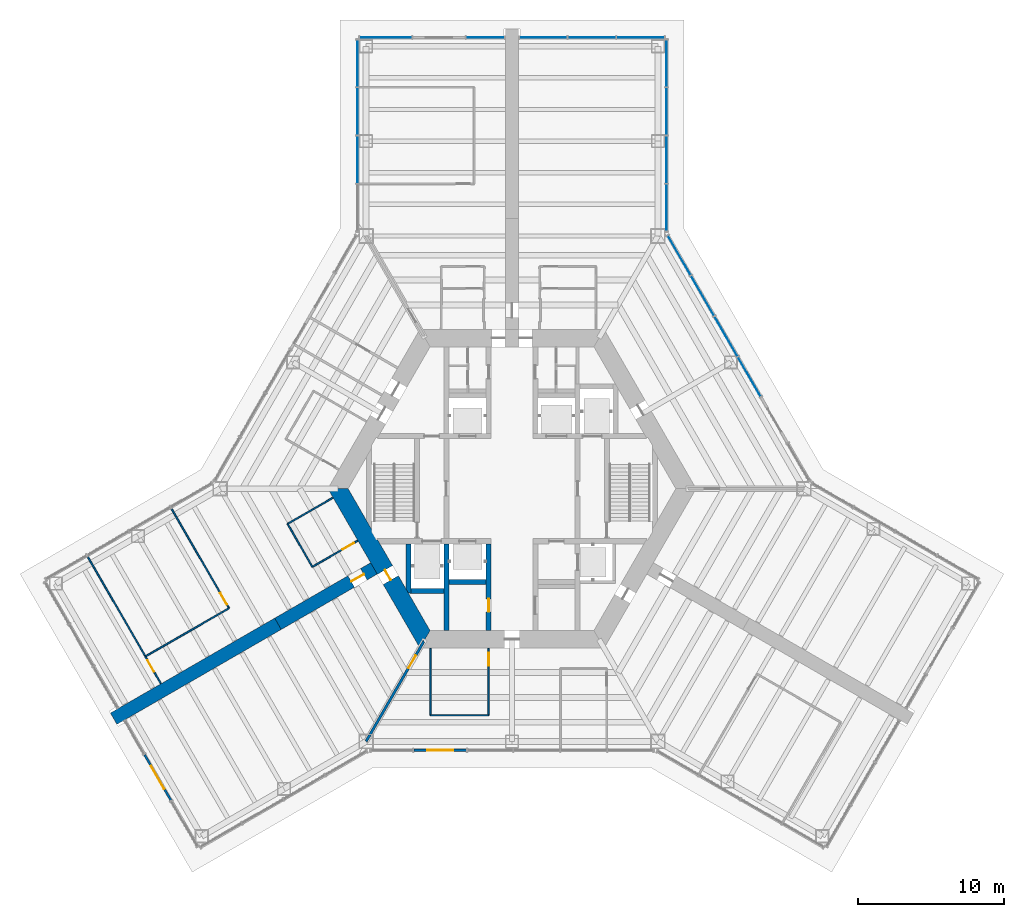
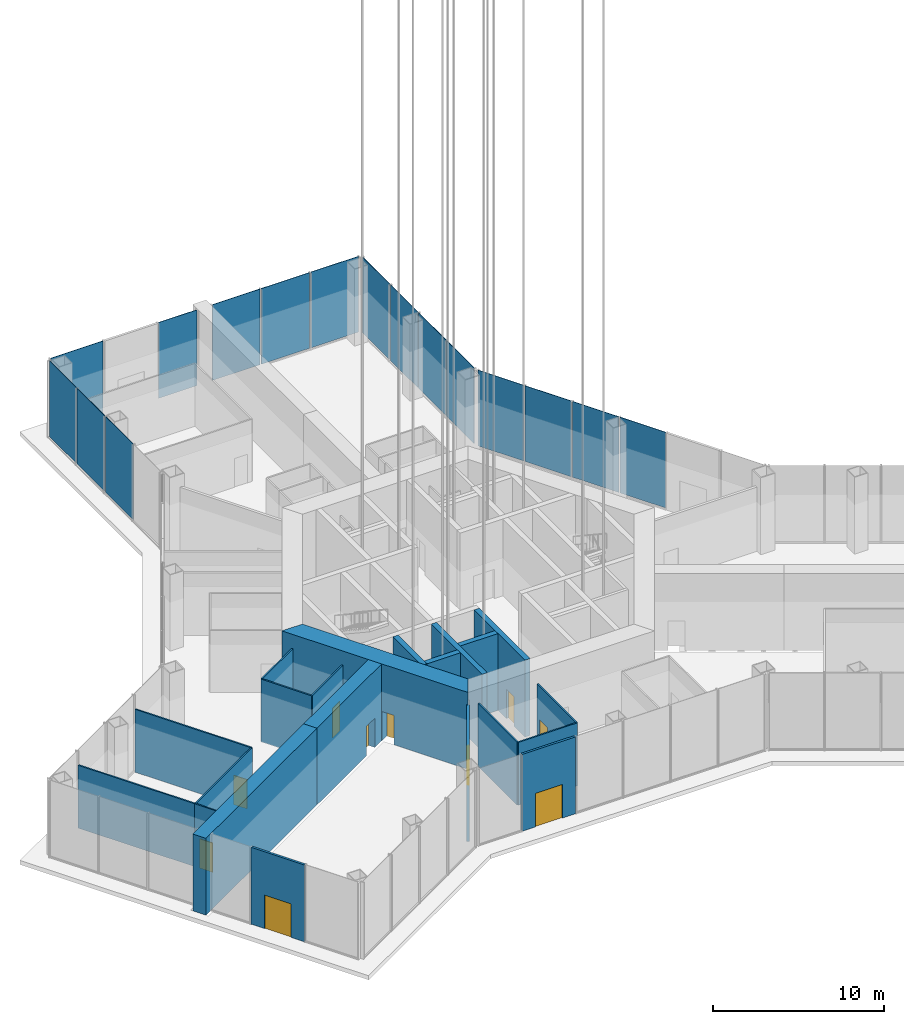
# One storey, part 9 of 18: 21 walls, 16 plates, 10 doors, 10 openings, 6 elements without a shape of their own.
"""IFC4 building model written with IfcOpenShell, lengths in metres."""

from ifc_helpers import new_model, si_unit, direction, frame, frame_2d, origin, origin_2d, place, context, subcontext, project, spatial, polyline, rectangle, outline, extrude, material, layer, layer_set, type_object, element, fill, aggregate, save


model = new_model("IFC4")

# Units and contexts
model_context = context("Model", 3, precision=1e-05, world=origin(), true_north=direction((0.0, 1.0)))
body_context = subcontext(model_context, "Body", "Model", "MODEL_VIEW")
ifc_project = project(units=[si_unit("LENGTHUNIT", "METRE"), si_unit("AREAUNIT", "SQUARE_METRE"), si_unit("VOLUMEUNIT", "CUBIC_METRE"), si_unit("PLANEANGLEUNIT", "RADIAN"), si_unit("MASSUNIT", "GRAM", prefix="KILO")], contexts=[model_context])

# Site, building, storey
site_placement = place(None, origin())
site = spatial("IfcSite", under=ifc_project, at=site_placement, CompositionType="ELEMENT")
building_placement = place(site_placement, origin())
building = spatial("IfcBuilding", under=site, at=building_placement, Name="Kasaneha Research Tower", CompositionType="ELEMENT")
storey_placement = place(building_placement, origin())
storey = spatial("IfcBuildingStorey", under=building, at=storey_placement, Name="L01", CompositionType="ELEMENT", Elevation=0.0)

# Curtain wall, plates
ifc_material_1 = material(Name="Glass and aluminium", Category="aluminium")
curtain_wall_type = type_object("IfcCurtainWallType", Name="Entrance hall curtain wall", PredefinedType="USERDEFINED", material=ifc_material_1)
curtain_wall_1_placement = place(storey_placement, origin())
curtain_wall_1 = element("IfcCurtainWall", 1, at=curtain_wall_1_placement, inside=storey, type_object=curtain_wall_type, Name="CW-H L01 run 07c", ObjectType="UNITISED CURTAIN WALL", PredefinedType="USERDEFINED")
ifc_material_2 = material(Name="Laminated double glazing", Category="glass")
ifc_layer_1 = layer(ifc_material_2, 0.031982421875)
ifc_layer_set_1 = layer_set([ifc_layer_1], Name="CW-H glazed panel")
plate_type = type_object("IfcPlateType", Name="CW-H glazed panel", PredefinedType="CURTAIN_PANEL", material=ifc_layer_set_1)
plate_1_placement = place(storey_placement, frame((16.265625, 7.66796875, 0.080078125), z_axis=(0.0, 0.0, 1.0), x_axis=(-0.49999996188, 0.866025425793, 0.0)))
plate_1 = element("IfcPlate", 2, at=plate_1_placement, type_object=plate_type, Name="CW-H panel 1", PredefinedType="CURTAIN_PANEL", context=body_context, shape_type="SweptSolid", body=[
    extrude(rectangle(XDim=3.0947265625, YDim=0.031982421875, at=origin_2d()), origin(), (0.0, 0.0, 1.0), 5.419921875),
])
plate_2_placement = place(storey_placement, frame((14.66845703125, 10.4345703125, 0.080078125), z_axis=(0.0, 0.0, 1.0), x_axis=(-0.49999996188, 0.866025425793, 0.0)))
plate_2 = element("IfcPlate", 3, at=plate_2_placement, type_object=plate_type, Name="CW-H panel 2", PredefinedType="CURTAIN_PANEL", context=body_context, shape_type="SweptSolid", body=[
    extrude(rectangle(XDim=3.134765625, YDim=0.031982421875, at=origin_2d()), origin(), (0.0, 0.0, 1.0), 5.419921875),
])
plate_3_placement = place(storey_placement, frame((13.06103515625, 13.21875, 0.080078125), z_axis=(0.0, 0.0, 1.0), x_axis=(-0.49999996188, 0.866025425793, 0.0)))
plate_3 = element("IfcPlate", 4, at=plate_3_placement, type_object=plate_type, Name="CW-H panel 3", PredefinedType="CURTAIN_PANEL", context=body_context, shape_type="SweptSolid", body=[
    extrude(rectangle(XDim=3.134765625, YDim=0.031982421875, at=origin_2d()), origin(), (0.0, 0.0, 1.0), 5.419921875),
])
plate_4_placement = place(storey_placement, frame((11.463623046875, 15.9853515625, 0.080078125), z_axis=(0.0, 0.0, 1.0), x_axis=(-0.49999996188, 0.866025425793, 0.0)))
plate_4 = element("IfcPlate", 5, at=plate_4_placement, type_object=plate_type, Name="CW-H panel 4", PredefinedType="CURTAIN_PANEL", context=body_context, shape_type="SweptSolid", body=[
    extrude(rectangle(XDim=3.0947265625, YDim=0.031982421875, at=origin_2d()), origin(), (0.0, 0.0, 1.0), 5.419921875),
])
aggregate(curtain_wall_1, [plate_1, plate_2, plate_3, plate_4])

curtain_wall_2_placement = place(storey_placement, origin())
curtain_wall_2 = element("IfcCurtainWall", 6, at=curtain_wall_2_placement, inside=storey, type_object=curtain_wall_type, Name="CW-H L01 run 08a", ObjectType="UNITISED CURTAIN WALL", PredefinedType="USERDEFINED")
plate_5_placement = place(storey_placement, frame((10.60009765625, 19.256103515625, 0.080078125), z_axis=(0.0, 0.0, 1.0), x_axis=(0.0, 1.0, 0.0)))
plate_5 = element("IfcPlate", 7, at=plate_5_placement, type_object=plate_type, Name="CW-H panel 1", PredefinedType="CURTAIN_PANEL", context=body_context, shape_type="SweptSolid", body=[
    extrude(rectangle(XDim=3.189697265625, YDim=0.031982421875, at=origin_2d()), origin(), (0.0, 0.0, 1.0), 5.419921875),
])
plate_6_placement = place(storey_placement, frame((10.60009765625, 22.5458984375, 0.080078125), z_axis=(0.0, 0.0, 1.0), x_axis=(0.0, 1.0, 0.0)))
plate_6 = element("IfcPlate", 8, at=plate_6_placement, type_object=plate_type, Name="CW-H panel 2", PredefinedType="CURTAIN_PANEL", context=body_context, shape_type="SweptSolid", body=[
    extrude(rectangle(XDim=3.229736328125, YDim=0.031982421875, at=origin_2d()), origin(), (0.0, 0.0, 1.0), 5.419921875),
])
plate_7_placement = place(storey_placement, frame((10.60009765625, 25.855712890625, 0.080078125), z_axis=(0.0, 0.0, 1.0), x_axis=(0.0, 1.0, 0.0)))
plate_7 = element("IfcPlate", 9, at=plate_7_placement, type_object=plate_type, Name="CW-H panel 3", PredefinedType="CURTAIN_PANEL", context=body_context, shape_type="SweptSolid", body=[
    extrude(rectangle(XDim=3.229736328125, YDim=0.031982421875, at=origin_2d()), origin(), (0.0, 0.0, 1.0), 5.419921875),
])
plate_8_placement = place(storey_placement, frame((10.60009765625, 29.1455078125, 0.080078125), z_axis=(0.0, 0.0, 1.0), x_axis=(0.0, 1.0, 0.0)))
plate_8 = element("IfcPlate", 10, at=plate_8_placement, type_object=plate_type, Name="CW-H panel 4", PredefinedType="CURTAIN_PANEL", context=body_context, shape_type="SweptSolid", body=[
    extrude(rectangle(XDim=3.189697265625, YDim=0.031982421875, at=origin_2d()), origin(), (0.0, 0.0, 1.0), 5.419921875),
])
aggregate(curtain_wall_2, [plate_5, plate_6, plate_7, plate_8])

curtain_wall_3_placement = place(storey_placement, origin())
curtain_wall_3 = element("IfcCurtainWall", 11, at=curtain_wall_3_placement, inside=storey, type_object=curtain_wall_type, Name="CW-H L01 run 09a", ObjectType="UNITISED CURTAIN WALL", PredefinedType="USERDEFINED")
plate_9_placement = place(storey_placement, frame((8.804931640625, 30.92041015625, 0.080078125), z_axis=(0.0, 0.0, 1.0), x_axis=(-1.0, 0.0, 0.0)))
plate_9 = element("IfcPlate", 12, at=plate_9_placement, type_object=plate_type, Name="CW-H panel 1", PredefinedType="CURTAIN_PANEL", context=body_context, shape_type="SweptSolid", body=[
    extrude(rectangle(XDim=3.22998046875, YDim=0.031982421875, at=origin_2d()), origin(), (0.0, 0.0, 1.0), 5.419921875),
])
plate_10_placement = place(storey_placement, frame((5.47509765625, 30.92041015625, 0.080078125), z_axis=(0.0, 0.0, 1.0), x_axis=(-1.0, 0.0, 0.0)))
plate_10 = element("IfcPlate", 13, at=plate_10_placement, type_object=plate_type, Name="CW-H panel 2", PredefinedType="CURTAIN_PANEL", context=body_context, shape_type="SweptSolid", body=[
    extrude(rectangle(XDim=3.27001953125, YDim=0.031982421875, at=origin_2d()), origin(), (0.0, 0.0, 1.0), 5.419921875),
])
plate_11_placement = place(storey_placement, frame((2.14501953125, 30.92041015625, 0.080078125), z_axis=(0.0, 0.0, 1.0), x_axis=(-1.0, 0.0, 0.0)))
plate_11 = element("IfcPlate", 14, at=plate_11_placement, type_object=plate_type, Name="CW-H panel 3", PredefinedType="CURTAIN_PANEL", context=body_context, shape_type="SweptSolid", body=[
    extrude(rectangle(XDim=3.22998046875, YDim=0.031982421875, at=origin_2d()), origin(), (0.0, 0.0, 1.0), 5.419921875),
])
aggregate(curtain_wall_3, [plate_9, plate_10, plate_11])

# Curtain wall, plate
curtain_wall_4_placement = place(storey_placement, origin())
curtain_wall_4 = element("IfcCurtainWall", 15, at=curtain_wall_4_placement, inside=storey, type_object=curtain_wall_type, Name="CW-H L01 run 10a", ObjectType="UNITISED CURTAIN WALL", PredefinedType="USERDEFINED")
plate_12_placement = place(storey_placement, frame((-1.824951171875, 30.92041015625, 0.080078125), z_axis=(0.0, 0.0, 1.0), x_axis=(-1.0, 0.0, 0.0)))
plate_12 = element("IfcPlate", 16, at=plate_12_placement, type_object=plate_type, Name="CW-H panel 1", PredefinedType="CURTAIN_PANEL", context=body_context, shape_type="SweptSolid", body=[
    extrude(rectangle(XDim=2.590087890625, YDim=0.031982421875, at=origin_2d()), origin(), (0.0, 0.0, 1.0), 5.419921875),
])
aggregate(curtain_wall_4, [plate_12])

curtain_wall_5_placement = place(storey_placement, origin())
curtain_wall_5 = element("IfcCurtainWall", 17, at=curtain_wall_5_placement, inside=storey, type_object=curtain_wall_type, Name="CW-H L01 run 10c", ObjectType="UNITISED CURTAIN WALL", PredefinedType="USERDEFINED")
plate_13_placement = place(storey_placement, frame((-8.64990234375, 30.92041015625, 0.080078125), z_axis=(0.0, 0.0, 1.0), x_axis=(-1.0, 0.0, 0.0)))
plate_13 = element("IfcPlate", 18, at=plate_13_placement, type_object=plate_type, Name="CW-H panel 1", PredefinedType="CURTAIN_PANEL", context=body_context, shape_type="SweptSolid", body=[
    extrude(rectangle(XDim=3.5400390625, YDim=0.031982421875, at=origin_2d()), origin(), (0.0, 0.0, 1.0), 5.419921875),
])
aggregate(curtain_wall_5, [plate_13])

# Curtain wall, plates
curtain_wall_6_placement = place(storey_placement, origin())
curtain_wall_6 = element("IfcCurtainWall", 19, at=curtain_wall_6_placement, inside=storey, type_object=curtain_wall_type, Name="CW-H L01 run 11a", ObjectType="UNITISED CURTAIN WALL", PredefinedType="USERDEFINED")
plate_14_placement = place(storey_placement, frame((-10.60009765625, 29.1455078125, 0.080078125), z_axis=(0.0, 0.0, 1.0), x_axis=(0.0, -1.0, 0.0)))
plate_14 = element("IfcPlate", 20, at=plate_14_placement, type_object=plate_type, Name="CW-H panel 1", PredefinedType="CURTAIN_PANEL", context=body_context, shape_type="SweptSolid", body=[
    extrude(rectangle(XDim=3.189697265625, YDim=0.031982421875, at=origin_2d()), origin(), (0.0, 0.0, 1.0), 5.419921875),
])
plate_15_placement = place(storey_placement, frame((-10.60009765625, 25.855712890625, 0.080078125), z_axis=(0.0, 0.0, 1.0), x_axis=(0.0, -1.0, 0.0)))
plate_15 = element("IfcPlate", 21, at=plate_15_placement, type_object=plate_type, Name="CW-H panel 2", PredefinedType="CURTAIN_PANEL", context=body_context, shape_type="SweptSolid", body=[
    extrude(rectangle(XDim=3.229736328125, YDim=0.031982421875, at=origin_2d()), origin(), (0.0, 0.0, 1.0), 5.419921875),
])
plate_16_placement = place(storey_placement, frame((-10.60009765625, 22.5458984375, 0.080078125), z_axis=(0.0, 0.0, 1.0), x_axis=(0.0, -1.0, 0.0)))
plate_16 = element("IfcPlate", 22, at=plate_16_placement, type_object=plate_type, Name="CW-H panel 3", PredefinedType="CURTAIN_PANEL", context=body_context, shape_type="SweptSolid", body=[
    extrude(rectangle(XDim=3.229736328125, YDim=0.031982421875, at=origin_2d()), origin(), (0.0, 0.0, 1.0), 5.419921875),
])
aggregate(curtain_wall_6, [plate_14, plate_15, plate_16])

# Wall, opening, door
ifc_material_3 = material(Name="Concrete Fc100", Category="concrete")
ifc_layer_2 = layer(ifc_material_3, 0.35009765625)
ifc_layer_set_2 = layer_set([ifc_layer_2], Name="Core internal wall 350 Fc100")
wall_type_1 = type_object("IfcWallType", Name="Core internal wall 350 Fc100", PredefinedType="SHEAR", material=ifc_layer_set_2)
wall_1_placement = place(storey_placement, frame((-1.60009765625, -3.77490234375, 0.0), z_axis=(0.0, 0.0, 1.0), x_axis=(0.0, -1.0, 0.0)))
wall_1 = element("IfcWall", 23, at=wall_1_placement, inside=storey, type_object=wall_type_1, Name="Core wall CSW L01", PredefinedType="SHEAR", context=body_context, shape_type="SweptSolid", body=[
    extrude(rectangle(XDim=5.9501953125, YDim=0.35009765625, at=frame_2d((2.97509765625, 0.0))), origin(), (0.0, 0.0, 1.0), 5.5),
])
opening_1_placement = place(wall_1_placement, frame((3.77490234375, 0.0, 0.0)))
opening_1 = element("IfcOpeningElement", 24, at=opening_1_placement, cuts=wall_1, Name="Opening L01-D16", PredefinedType="OPENING", context=body_context, shape_type="SweptSolid", body=[
    extrude(rectangle(XDim=0.89990234375, YDim=2.10009765625, at=frame_2d((0.449951171875, 1.050048828125))), frame((0.0, 0.18505859375, 0.0), z_axis=(0.0, -1.0, 0.0), x_axis=(1.0, 0.0, 0.0)), (0.0, 0.0, 1.0), 0.3701171875),
])
ifc_material_4 = material(Name="Steel", Category="steel")
door_type_1 = type_object("IfcDoorType", Name="Riser access door FD60 900x2100", OperationType="NOTDEFINED", PredefinedType="DOOR", material=ifc_material_4)
door_1_placement = place(opening_1_placement, origin())
door_1 = element("IfcDoor", 25, at=door_1_placement, inside=storey, type_object=door_type_1, Name="Electrical riser door L01-D16", OperationType="SINGLE_SWING_LEFT", OverallHeight=2.10009765625, OverallWidth=0.89990234375, PredefinedType="DOOR", context=body_context, shape_type="SweptSolid", body=[
    extrude(rectangle(XDim=0.89990234375, YDim=2.10009765625, at=frame_2d((0.449951171875, 1.050048828125))), frame((0.0, 0.02490234375, 0.0), z_axis=(0.0, -1.0, 0.0), x_axis=(1.0, 0.0, 0.0)), (0.0, 0.0, 1.0), 0.050048828125),
])
fill(opening_1, door_1)

# Walls
wall_2_placement = place(storey_placement, frame((-4.5, -3.77490234375, 0.0), z_axis=(0.0, 0.0, 1.0), x_axis=(0.0, -1.0, 0.0)))
element("IfcWall", 26, at=wall_2_placement, inside=storey, type_object=wall_type_1, Name="Core wall SSW L01", PredefinedType="SHEAR", context=body_context, shape_type="SweptSolid", body=[
    extrude(rectangle(XDim=5.9501953125, YDim=0.35009765625, at=frame_2d((2.97509765625, 0.0))), origin(), (0.0, 0.0, 1.0), 5.5),
])
wall_3_placement = place(storey_placement, frame((-4.324951171875, -6.39990234375, 0.0), z_axis=(0.0, 0.0, 1.0), x_axis=(1.0, 0.0, 0.0)))
element("IfcWall", 27, at=wall_3_placement, inside=storey, type_object=wall_type_1, Name="Core wall S1S L01", PredefinedType="SHEAR", context=body_context, shape_type="SweptSolid", body=[
    extrude(rectangle(XDim=2.550048828125, YDim=0.35009765625, at=frame_2d((1.27490234375, 0.0))), origin(), (0.0, 0.0, 1.0), 5.5),
])
wall_4_placement = place(storey_placement, frame((-6.925048828125, -7.0, 0.0), z_axis=(0.0, 0.0, 1.0), x_axis=(1.0, 0.0, 0.0)))
element("IfcWall", 28, at=wall_4_placement, inside=storey, type_object=wall_type_1, Name="Core wall F2S L01", PredefinedType="SHEAR", context=body_context, shape_type="SweptSolid", body=[
    extrude(rectangle(XDim=2.25, YDim=0.35009765625, at=frame_2d((1.125, 0.0))), origin(), (0.0, 0.0, 1.0), 5.5),
])
wall_5_placement = place(storey_placement, frame((-7.10009765625, -3.77490234375, 0.0), z_axis=(0.0, 0.0, 1.0), x_axis=(0.0, -1.0, 0.0)))
element("IfcWall", 29, at=wall_5_placement, inside=storey, type_object=wall_type_1, Name="Core wall F2W L01", PredefinedType="SHEAR", context=body_context, shape_type="SweptSolid", body=[
    extrude(outline(polyline([(0.0, -0.175048828125), (3.07421875, -0.175048828125), (3.37744140625, 0.0), (3.39990234375, 0.175048828125), (0.0, 0.175048828125), (0.0, -0.175048828125)])), origin(), (0.0, 0.0, 1.0), 5.5),
])

# Wall, opening, door
ifc_material_5 = material(Name="Concrete Fc100", Category="concrete")
ifc_layer_3 = layer(ifc_material_5, 1.199951171875)
ifc_layer_set_3 = layer_set([ifc_layer_3], Name="Core wall 1200 Fc100")
wall_type_2 = type_object("IfcWallType", Name="Core wall 1200 Fc100", PredefinedType="SHEAR", material=ifc_layer_set_3)
wall_6_placement = place(storey_placement, frame((-11.92236328125, 0.0, 0.0), z_axis=(0.0, 0.0, 1.0), x_axis=(0.500004296715, -0.866022923061, 0.0)))
wall_6 = element("IfcWall", 30, at=wall_6_placement, inside=storey, type_object=wall_type_2, Name="Core wall 210 L01", PredefinedType="SHEAR", context=body_context, shape_type="SweptSolid", body=[
    extrude(outline(polyline([(-0.346435546875, -0.60009765625), (6.43115234375, -0.60009765625), (7.231201171875, -0.60009765625), (12.268798828125, -0.60009765625), (11.575927734375, 0.60009765625), (7.231201171875, 0.60009765625), (6.43115234375, 0.60009765625), (0.346435546875, 0.60009765625), (-0.346435546875, -0.60009765625)])), origin(), (0.0, 0.0, 1.0), 5.5),
])
opening_2_placement = place(wall_6_placement, frame((6.43115234375, 0.0, 0.0)))
opening_2 = element("IfcOpeningElement", 31, at=opening_2_placement, cuts=wall_6, Name="Opening L01-D06", PredefinedType="OPENING", context=body_context, shape_type="SweptSolid", body=[
    extrude(rectangle(XDim=0.800048828125, YDim=2.10009765625, at=frame_2d((0.39990234375, 1.050048828125))), frame((0.0, 0.60986328125, 0.0), z_axis=(0.0, -1.0, 0.0), x_axis=(1.0, 0.0, 0.0)), (0.0, 0.0, 1.0), 1.219970703125),
])
ifc_material_6 = material(Name="Steel", Category="steel")
door_type_2 = type_object("IfcDoorType", Name="Riser access door FD60 800x2100", OperationType="NOTDEFINED", PredefinedType="DOOR", material=ifc_material_6)
door_2_placement = place(opening_2_placement, origin())
door_2 = element("IfcDoor", 32, at=door_2_placement, inside=storey, type_object=door_type_2, Name="Duct riser door L01-D06", OperationType="SINGLE_SWING_RIGHT", OverallHeight=2.10009765625, OverallWidth=0.800048828125, PredefinedType="DOOR", context=body_context, shape_type="SweptSolid", body=[
    extrude(rectangle(XDim=0.800048828125, YDim=2.10009765625, at=frame_2d((0.39990234375, 1.050048828125))), frame((0.0, 0.02490234375, 0.0), z_axis=(0.0, -1.0, 0.0), x_axis=(1.0, 0.0, 0.0)), (0.0, 0.0, 1.0), 0.050048828125),
])
fill(opening_2, door_2)

ifc_material_7 = material(Name="Glass and aluminium", Category="aluminium")
ifc_layer_4 = layer(ifc_material_7, 0.14990234375)
ifc_layer_set_4 = layer_set([ifc_layer_4], Name="Glazed entrance screen 150")
wall_type_3 = type_object("IfcWallType", Name="Glazed entrance screen 150", PredefinedType="STANDARD", material=ifc_layer_set_4)
wall_7_placement = place(storey_placement, frame((-6.7197265625, -17.92041015625, 0.0), z_axis=(0.0, 0.0, 1.0), x_axis=(1.0, 0.0, 0.0)))
wall_7 = element("IfcWall", 33, at=wall_7_placement, inside=storey, type_object=wall_type_3, Name="Glazed entrance screen L01", PredefinedType="STANDARD", context=body_context, shape_type="SweptSolid", body=[
    extrude(rectangle(XDim=3.60009765625, YDim=0.14990234375, at=frame_2d((1.800048828125, 0.0))), origin(), (0.0, 0.0, 1.0), 5.5),
])
opening_3_placement = place(wall_7_placement, frame((0.89990234375, 0.0, 0.0)))
opening_3 = element("IfcOpeningElement", 34, at=opening_3_placement, cuts=wall_7, Name="Opening L01-ED01", PredefinedType="OPENING", context=body_context, shape_type="SweptSolid", body=[
    extrude(rectangle(XDim=1.800048828125, YDim=2.39990234375, at=frame_2d((0.89990234375, 1.199951171875))), frame((0.0, 0.0849609375, 0.0), z_axis=(0.0, -1.0, 0.0), x_axis=(1.0, 0.0, 0.0)), (0.0, 0.0, 1.0), 0.169921875),
])
ifc_material_8 = material(Name="Glass and aluminium", Category="aluminium")
door_type_3 = type_object("IfcDoorType", Name="Entrance door 1800x2400", OperationType="DOUBLE_DOOR_SINGLE_SWING", PredefinedType="DOOR", material=ifc_material_8)
door_3_placement = place(opening_3_placement, origin())
door_3 = element("IfcDoor", 35, at=door_3_placement, inside=storey, type_object=door_type_3, Name="Entrance door L01-ED01", OperationType="DOUBLE_DOOR_SINGLE_SWING", OverallHeight=2.39990234375, OverallWidth=1.800048828125, PredefinedType="DOOR", context=body_context, shape_type="SweptSolid", body=[
    extrude(rectangle(XDim=1.800048828125, YDim=2.39990234375, at=frame_2d((0.89990234375, 1.199951171875))), frame((0.0, 0.02490234375, 0.0), z_axis=(0.0, -1.0, 0.0), x_axis=(1.0, 0.0, 0.0)), (0.0, 0.0, 1.0), 0.050048828125),
])
fill(opening_3, door_3)

wall_8_placement = place(storey_placement, frame((-25.177978515625, -18.2314453125, 0.0), z_axis=(0.0, 0.0, 1.0), x_axis=(0.500012057535, -0.866018442252, 0.0)))
wall_8 = element("IfcWall", 36, at=wall_8_placement, inside=storey, type_object=wall_type_3, Name="Glazed entrance screen L01", PredefinedType="STANDARD", context=body_context, shape_type="SweptSolid", body=[
    extrude(rectangle(XDim=3.60009765625, YDim=0.14990234375, at=frame_2d((1.800048828125, 0.0))), origin(), (0.0, 0.0, 1.0), 5.5),
])
opening_4_placement = place(wall_8_placement, frame((0.89990234375, 0.0, 0.0)))
opening_4 = element("IfcOpeningElement", 37, at=opening_4_placement, cuts=wall_8, Name="Opening L01-ED07", PredefinedType="OPENING", context=body_context, shape_type="SweptSolid", body=[
    extrude(rectangle(XDim=1.800048828125, YDim=2.39990234375, at=frame_2d((0.89990234375, 1.199951171875))), frame((0.0, 0.0849609375, 0.0), z_axis=(0.0, -1.0, 0.0), x_axis=(1.0, 0.0, 0.0)), (0.0, 0.0, 1.0), 0.169921875),
])
door_4_placement = place(opening_4_placement, origin())
door_4 = element("IfcDoor", 38, at=door_4_placement, inside=storey, type_object=door_type_3, Name="Entrance door L01-ED07", OperationType="DOUBLE_DOOR_SINGLE_SWING", OverallHeight=2.39990234375, OverallWidth=1.800048828125, PredefinedType="DOOR", context=body_context, shape_type="SweptSolid", body=[
    extrude(rectangle(XDim=1.800048828125, YDim=2.39990234375, at=frame_2d((0.89990234375, 1.199951171875))), frame((0.0, 0.02490234375, 0.0), z_axis=(0.0, -1.0, 0.0), x_axis=(1.0, 0.0, 0.0)), (0.0, 0.0, 1.0), 0.050048828125),
])
fill(opening_4, door_4)

# Wall
ifc_material_9 = material(Name="Gypsum board on steel studs, one layer each side", Category="steel")
ifc_layer_5 = layer(ifc_material_9, 0.10009765625)
ifc_layer_set_5 = layer_set([ifc_layer_5], Name="Office partition 100")
wall_type_4 = type_object("IfcWallType", Name="Office partition 100", PredefinedType="PARTITIONING", material=ifc_layer_set_5)
wall_9_placement = place(storey_placement, frame((-25.1201171875, -11.5009765625, 0.0), z_axis=(0.0, 0.0, 1.0), x_axis=(-0.50060862307, 0.865673729825, 0.0)))
element("IfcWall", 39, at=wall_9_placement, inside=storey, type_object=wall_type_4, Name="Office partition FBN01 L01", PredefinedType="PARTITIONING", context=body_context, shape_type="SweptSolid", body=[
    extrude(rectangle(XDim=7.900146484375, YDim=0.10009765625, at=frame_2d((3.9501953125, 0.0))), origin(), (0.0, 0.0, 1.0), 4.5),
])

# Wall, opening, door
wall_10_placement = place(storey_placement, frame((-23.332275390625, -1.36962890625, 0.0), z_axis=(0.0, 0.0, 1.0), x_axis=(0.500021035396, -0.866013258652, 0.0)))
wall_10 = element("IfcWall", 40, at=wall_10_placement, inside=storey, type_object=wall_type_4, Name="Office partition FBN02 L01", PredefinedType="PARTITIONING", context=body_context, shape_type="SweptSolid", body=[
    extrude(rectangle(XDim=7.880126953125, YDim=0.10009765625, at=frame_2d((3.93994140625, 0.0))), origin(), (0.0, 0.0, 1.0), 4.5),
])
opening_5_placement = place(wall_10_placement, frame((6.679931640625, 0.0, 0.0)))
opening_5 = element("IfcOpeningElement", 41, at=opening_5_placement, cuts=wall_10, Name="Opening L01-D32", PredefinedType="OPENING", context=body_context, shape_type="SweptSolid", body=[
    extrude(rectangle(XDim=0.89990234375, YDim=2.10009765625, at=frame_2d((0.449951171875, 1.050048828125))), frame((0.0, 0.06005859375, 0.0), z_axis=(0.0, -1.0, 0.0), x_axis=(1.0, 0.0, 0.0)), (0.0, 0.0, 1.0), 0.1201171875),
])
ifc_material_10 = material(Name="Timber veneer", Category="wood")
door_type_4 = type_object("IfcDoorType", Name="Office door 900x2100", OperationType="SINGLE_SWING_LEFT", PredefinedType="DOOR", material=ifc_material_10)
door_5_placement = place(opening_5_placement, origin())
door_5 = element("IfcDoor", 42, at=door_5_placement, inside=storey, type_object=door_type_4, Name="Convenience shop door L01-D32", OperationType="SINGLE_SWING_RIGHT", OverallHeight=2.10009765625, OverallWidth=0.89990234375, PredefinedType="DOOR", context=body_context, shape_type="SweptSolid", body=[
    extrude(rectangle(XDim=0.89990234375, YDim=2.10009765625, at=frame_2d((0.449951171875, 1.050048828125))), frame((0.0, 0.02490234375, 0.0), z_axis=(0.0, -1.0, 0.0), x_axis=(1.0, 0.0, 0.0)), (0.0, 0.0, 1.0), 0.050048828125),
])
fill(opening_5, door_5)

# Wall
wall_11_placement = place(storey_placement, frame((-19.39208984375, -8.19384765625, 0.0), z_axis=(0.0, 0.0, 1.0), x_axis=(-0.866327998015, -0.499475524781, 0.0)))
element("IfcWall", 43, at=wall_11_placement, inside=storey, type_object=wall_type_4, Name="Office partition FBN03 L01", PredefinedType="PARTITIONING", context=body_context, shape_type="SweptSolid", body=[
    extrude(rectangle(XDim=6.61962890625, YDim=0.10009765625, at=frame_2d((3.309814453125, 0.0))), origin(), (0.0, 0.0, 1.0), 4.5),
])

# Wall, opening, door
wall_12_placement = place(storey_placement, frame((-25.12646484375, -11.5, 0.0), z_axis=(0.0, 0.0, 1.0), x_axis=(0.496175899628, -0.868222020354, 0.0)))
wall_12 = element("IfcWall", 44, at=wall_12_placement, inside=storey, type_object=wall_type_4, Name="Office partition FBN06 L01", PredefinedType="PARTITIONING", context=body_context, shape_type="SweptSolid", body=[
    extrude(rectangle(XDim=2.134033203125, YDim=0.10009765625, at=frame_2d((1.06689453125, 0.0))), origin(), (0.0, 0.0, 1.0), 4.5),
])
opening_6_placement = place(wall_12_placement, frame((0.300048828125, 0.0, 0.0)))
opening_6 = element("IfcOpeningElement", 45, at=opening_6_placement, cuts=wall_12, Name="Opening L01-D34", PredefinedType="OPENING", context=body_context, shape_type="SweptSolid", body=[
    extrude(rectangle(XDim=0.89990234375, YDim=2.10009765625, at=frame_2d((0.449951171875, 1.050048828125))), frame((0.0, 0.06005859375, 0.0), z_axis=(0.0, -1.0, 0.0), x_axis=(1.0, 0.0, 0.0)), (0.0, 0.0, 1.0), 0.1201171875),
])
door_6_placement = place(opening_6_placement, origin())
door_6 = element("IfcDoor", 46, at=door_6_placement, inside=storey, type_object=door_type_4, Name="Visitor lounge door L01-D34", OperationType="SINGLE_SWING_LEFT", OverallHeight=2.10009765625, OverallWidth=0.89990234375, PredefinedType="DOOR", context=body_context, shape_type="SweptSolid", body=[
    extrude(rectangle(XDim=0.89990234375, YDim=2.10009765625, at=frame_2d((0.449951171875, 1.050048828125))), frame((0.0, 0.02490234375, 0.0), z_axis=(0.0, -1.0, 0.0), x_axis=(1.0, 0.0, 0.0)), (0.0, 0.0, 1.0), 0.050048828125),
])
fill(opening_6, door_6)

# Walls
wall_13_placement = place(storey_placement, frame((-15.37890625, -2.412841796875, 0.0), z_axis=(0.0, 0.0, 1.0), x_axis=(0.866018643436, 0.500011709085, 0.0)))
element("IfcWall", 47, at=wall_13_placement, inside=storey, type_object=wall_type_4, Name="Office partition FBN10 L01", PredefinedType="PARTITIONING", context=body_context, shape_type="SweptSolid", body=[
    extrude(rectangle(XDim=3.580078125, YDim=0.10009765625, at=frame_2d((1.7900390625, 0.0))), origin(), (0.0, 0.0, 1.0), 4.5),
])
wall_14_placement = place(storey_placement, frame((-13.678955078125, -5.357177734375, 0.0), z_axis=(0.0, 0.0, 1.0), x_axis=(-0.500008388397, 0.866020560687, 0.0)))
element("IfcWall", 48, at=wall_14_placement, inside=storey, type_object=wall_type_4, Name="Office partition FBN11 L01", PredefinedType="PARTITIONING", context=body_context, shape_type="SweptSolid", body=[
    extrude(rectangle(XDim=3.39990234375, YDim=0.10009765625, at=frame_2d((1.699951171875, 0.0))), origin(), (0.0, 0.0, 1.0), 4.5),
])

# Wall, opening, door
wall_15_placement = place(storey_placement, frame((-10.57861328125, -3.567138671875, 0.0), z_axis=(0.0, 0.0, 1.0), x_axis=(-0.866018643436, -0.500011709085, 0.0)))
wall_15 = element("IfcWall", 49, at=wall_15_placement, inside=storey, type_object=wall_type_4, Name="Office partition FBN12 L01", PredefinedType="PARTITIONING", context=body_context, shape_type="SweptSolid", body=[
    extrude(rectangle(XDim=3.580078125, YDim=0.10009765625, at=frame_2d((1.7900390625, 0.0))), origin(), (0.0, 0.0, 1.0), 4.5),
])
opening_7_placement = place(wall_15_placement, frame((0.300048828125, 0.0, 0.0)))
opening_7 = element("IfcOpeningElement", 50, at=opening_7_placement, cuts=wall_15, Name="Opening L01-D36", PredefinedType="OPENING", context=body_context, shape_type="SweptSolid", body=[
    extrude(rectangle(XDim=0.89990234375, YDim=2.10009765625, at=frame_2d((0.449951171875, 1.050048828125))), frame((0.0, 0.06005859375, 0.0), z_axis=(0.0, -1.0, 0.0), x_axis=(1.0, 0.0, 0.0)), (0.0, 0.0, 1.0), 0.1201171875),
])
door_7_placement = place(opening_7_placement, origin())
door_7 = element("IfcDoor", 51, at=door_7_placement, inside=storey, type_object=door_type_4, Name="Courier counter door L01-D36", OperationType="SINGLE_SWING_LEFT", OverallHeight=2.10009765625, OverallWidth=0.89990234375, PredefinedType="DOOR", context=body_context, shape_type="SweptSolid", body=[
    extrude(rectangle(XDim=0.89990234375, YDim=2.10009765625, at=frame_2d((0.449951171875, 1.050048828125))), frame((0.0, 0.02490234375, 0.0), z_axis=(0.0, -1.0, 0.0), x_axis=(1.0, 0.0, 0.0)), (0.0, 0.0, 1.0), 0.050048828125),
])
fill(opening_7, door_7)

# Walls
wall_16_placement = place(storey_placement, frame((-5.60009765625, -15.52490234375, 0.0), z_axis=(0.0, 0.0, 1.0), x_axis=(0.0, 1.0, 0.0)))
element("IfcWall", 52, at=wall_16_placement, inside=storey, type_object=wall_type_4, Name="Office partition FCS07 L01", PredefinedType="PARTITIONING", context=body_context, shape_type="SweptSolid", body=[
    extrude(rectangle(XDim=4.579833984375, YDim=0.10009765625, at=frame_2d((2.2900390625, 0.0))), origin(), (0.0, 0.0, 1.0), 4.5),
])
wall_17_placement = place(storey_placement, frame((-1.60009765625, -15.52490234375, 0.0), z_axis=(0.0, 0.0, 1.0), x_axis=(-1.0, 0.0, 0.0)))
element("IfcWall", 53, at=wall_17_placement, inside=storey, type_object=wall_type_4, Name="Office partition FCS08 L01", PredefinedType="PARTITIONING", context=body_context, shape_type="SweptSolid", body=[
    extrude(rectangle(XDim=4.0, YDim=0.10009765625, at=frame_2d((2.0, 0.0))), origin(), (0.0, 0.0, 1.0), 4.5),
])

# Wall, opening, door
wall_18_placement = place(storey_placement, frame((-1.60009765625, -10.945068359375, 0.0), z_axis=(0.0, 0.0, 1.0), x_axis=(0.0, -1.0, 0.0)))
wall_18 = element("IfcWall", 54, at=wall_18_placement, inside=storey, type_object=wall_type_4, Name="Office partition FCS09 L01", PredefinedType="PARTITIONING", context=body_context, shape_type="SweptSolid", body=[
    extrude(rectangle(XDim=4.579833984375, YDim=0.10009765625, at=frame_2d((2.2900390625, 0.0))), origin(), (0.0, 0.0, 1.0), 4.5),
])
opening_8_placement = place(wall_18_placement, frame((0.300048828125, 0.0, 0.0)))
opening_8 = element("IfcOpeningElement", 55, at=opening_8_placement, cuts=wall_18, Name="Opening L01-D39", PredefinedType="OPENING", context=body_context, shape_type="SweptSolid", body=[
    extrude(rectangle(XDim=0.89990234375, YDim=2.10009765625, at=frame_2d((0.449951171875, 1.050048828125))), frame((0.0, 0.06005859375, 0.0), z_axis=(0.0, -1.0, 0.0), x_axis=(1.0, 0.0, 0.0)), (0.0, 0.0, 1.0), 0.1201171875),
])
door_8_placement = place(opening_8_placement, origin())
door_8 = element("IfcDoor", 56, at=door_8_placement, inside=storey, type_object=door_type_4, Name="Nursing room door L01-D39", OperationType="SINGLE_SWING_LEFT", OverallHeight=2.10009765625, OverallWidth=0.89990234375, PredefinedType="DOOR", context=body_context, shape_type="SweptSolid", body=[
    extrude(rectangle(XDim=0.89990234375, YDim=2.10009765625, at=frame_2d((0.449951171875, 1.050048828125))), frame((0.0, 0.02490234375, 0.0), z_axis=(0.0, -1.0, 0.0), x_axis=(1.0, 0.0, 0.0)), (0.0, 0.0, 1.0), 0.050048828125),
])
fill(opening_8, door_8)

ifc_material_11 = material(Name="Concrete Fc100", Category="concrete")
ifc_layer_6 = layer(ifc_material_11, 0.89990234375)
ifc_layer_set_6 = layer_set([ifc_layer_6], Name="Spine wall 900 Fc100")
wall_type_5 = type_object("IfcWallType", Name="Spine wall 900 Fc100", PredefinedType="SHEAR", material=ifc_layer_set_6)
wall_19_placement = place(storey_placement, frame((-9.46142578125, -5.46240234375, 0.0), z_axis=(0.0, 0.0, 1.0), x_axis=(-0.866019116917, -0.500010889016, 0.0)))
wall_19 = element("IfcWall", 57, at=wall_19_placement, inside=storey, type_object=wall_type_5, Name="Spine wall B L01", PredefinedType="SHEAR", context=body_context, shape_type="SweptSolid", body=[
    extrude(rectangle(XDim=7.595458984375, YDim=0.89990234375, at=frame_2d((3.7978515625, 0.0))), origin(), (0.0, 0.0, 1.0), 5.5),
])
opening_9_placement = place(wall_19_placement, frame((0.800048828125, 0.0, 0.0)))
opening_9 = element("IfcOpeningElement", 58, at=opening_9_placement, cuts=wall_19, Name="Opening L01-D18", PredefinedType="OPENING", context=body_context, shape_type="SweptSolid", body=[
    extrude(rectangle(XDim=1.0, YDim=2.10009765625, at=frame_2d((0.5, 1.050048828125))), frame((0.0, 0.4599609375, 0.0), z_axis=(0.0, -1.0, 0.0), x_axis=(1.0, 0.0, 0.0)), (0.0, 0.0, 1.0), 0.919921875),
])
ifc_material_12 = material(Name="Steel", Category="steel")
door_type_5 = type_object("IfcDoorType", Name="Specified fire door FD60 1000x2100", OperationType="NOTDEFINED", PredefinedType="DOOR", material=ifc_material_12)
door_9_placement = place(opening_9_placement, origin())
door_9 = element("IfcDoor", 59, at=door_9_placement, inside=storey, type_object=door_type_5, Name="Spine doorway B L01-D18", OperationType="SINGLE_SWING_LEFT", OverallHeight=2.10009765625, OverallWidth=1.0, PredefinedType="DOOR", context=body_context, shape_type="SweptSolid", body=[
    extrude(rectangle(XDim=1.0, YDim=2.10009765625, at=frame_2d((0.5, 1.050048828125))), frame((0.0, 0.02490234375, 0.0), z_axis=(0.0, -1.0, 0.0), x_axis=(1.0, 0.0, 0.0)), (0.0, 0.0, 1.0), 0.050048828125),
])
fill(opening_9, door_9)

# Wall
wall_20_placement = place(storey_placement, frame((-16.039306640625, -9.26025390625, 0.0), z_axis=(0.0, 0.0, 1.0), x_axis=(-0.866024837091, -0.50000098154, 0.0)))
element("IfcWall", 60, at=wall_20_placement, inside=storey, type_object=wall_type_5, Name="Spine wall B wing L01", PredefinedType="SHEAR", context=body_context, shape_type="SweptSolid", body=[
    extrude(rectangle(XDim=13.0, YDim=0.89990234375, at=frame_2d((6.5, 0.0))), origin(), (0.0, 0.0, 1.0), 5.5),
])

# Wall, opening, door
ifc_material_13 = material(Name="Gypsum board on steel studs, two layers each side", Category="steel")
ifc_layer_7 = layer(ifc_material_13, 0.175048828125)
ifc_layer_set_7 = layer_set([ifc_layer_7], Name="Tenancy fire partition 175")
wall_type_6 = type_object("IfcWallType", Name="Tenancy fire partition 175", PredefinedType="PARTITIONING", material=ifc_layer_set_7)
wall_21_placement = place(storey_placement, frame((-6.03515625, -10.453125, 0.0), z_axis=(0.0, 0.0, 1.0), x_axis=(-0.499993402427, -0.866029212861, 0.0)))
wall_21 = element("IfcWall", 61, at=wall_21_placement, inside=storey, type_object=wall_type_6, Name="Tenancy fire partition T240 L01", PredefinedType="PARTITIONING", context=body_context, shape_type="SweptSolid", body=[
    extrude(outline(polyline([(-0.050537109375, -0.08740234375), (1.12939453125, -0.08740234375), (2.12939453125, -0.08740234375), (7.9296875, -0.08740234375), (7.9296875, 0.08740234375), (2.12939453125, 0.08740234375), (1.12939453125, 0.08740234375), (0.050537109375, 0.08740234375), (-0.050537109375, -0.08740234375)])), origin(), (0.0, 0.0, 1.0), 4.60009765625),
])
opening_10_placement = place(wall_21_placement, frame((1.12939453125, 0.0, 0.0)))
opening_10 = element("IfcOpeningElement", 62, at=opening_10_placement, cuts=wall_21, Name="Opening L01-D26", PredefinedType="OPENING", context=body_context, shape_type="SweptSolid", body=[
    extrude(rectangle(XDim=1.0, YDim=2.10009765625, at=frame_2d((0.5, 1.050048828125))), frame((0.0, 0.09765625, 0.0), z_axis=(0.0, -1.0, 0.0), x_axis=(1.0, 0.0, 0.0)), (0.0, 0.0, 1.0), 0.195068359375),
])
ifc_material_14 = material(Name="Steel", Category="steel")
door_type_6 = type_object("IfcDoorType", Name="Suite entrance door FD60 1000x2100", OperationType="NOTDEFINED", PredefinedType="DOOR", material=ifc_material_14)
door_10_placement = place(opening_10_placement, origin())
door_10 = element("IfcDoor", 63, at=door_10_placement, inside=storey, type_object=door_type_6, Name="Connecting door L01-D26", OperationType="SINGLE_SWING_LEFT", OverallHeight=2.10009765625, OverallWidth=1.0, PredefinedType="DOOR", context=body_context, shape_type="SweptSolid", body=[
    extrude(rectangle(XDim=1.0, YDim=2.10009765625, at=frame_2d((0.5, 1.050048828125))), frame((0.0, 0.02490234375, 0.0), z_axis=(0.0, -1.0, 0.0), x_axis=(1.0, 0.0, 0.0)), (0.0, 0.0, 1.0), 0.050048828125),
])
fill(opening_10, door_10)

save(model, "model.ifc")
